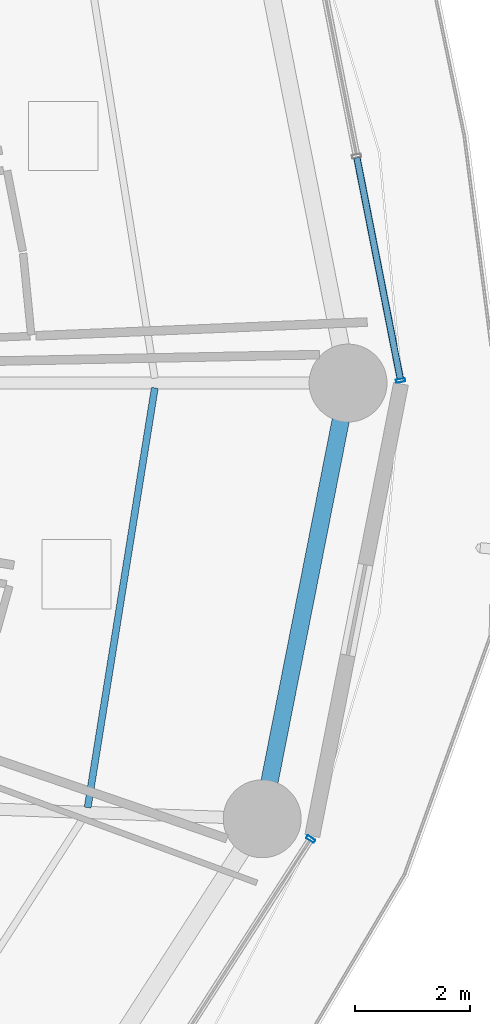
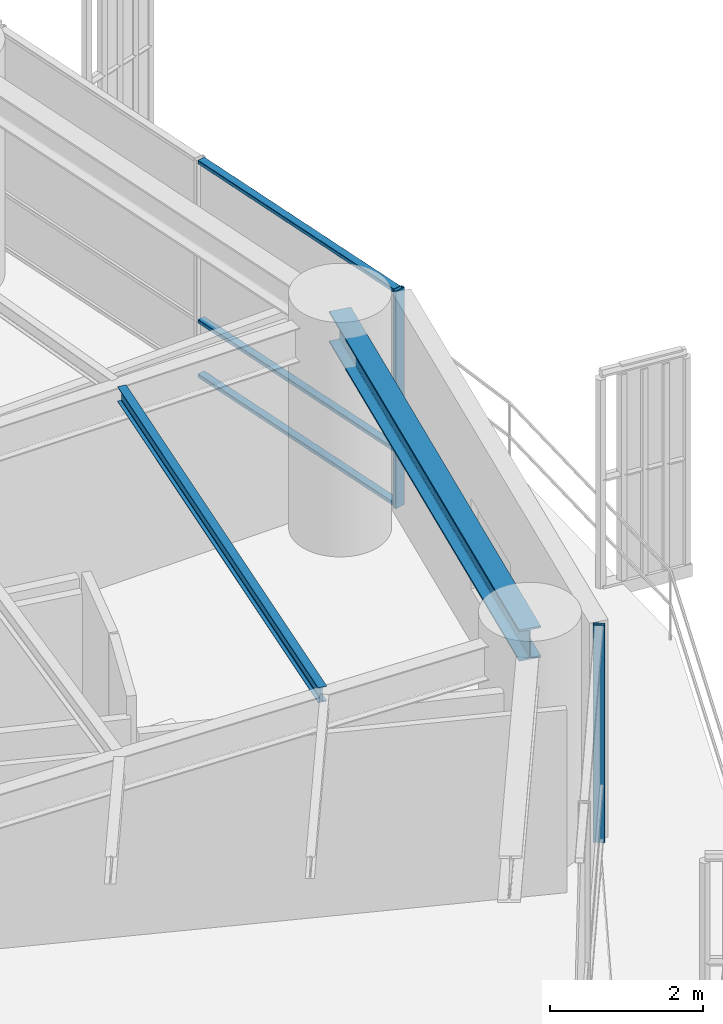
# One storey, part 15 of 35: 5 members, 2 beams, 2 elements without a shape of their own.
"""IFC4 building model written with IfcOpenShell, lengths in metres."""

from ifc_helpers import new_model, si_unit, direction, frame, origin, origin_2d, place, context, subcontext, project, spatial, hollow_rectangle, i_section, extrude, material, layer, layer_set, material_profile, profile_set, type_object, element, aggregate, save


model = new_model("IFC4")

# Units and contexts
model_context = context("Model", 3, precision=1e-05, world=origin(), true_north=direction((0.0, 1.0)))
body_context = subcontext(model_context, "Body", "Model", "MODEL_VIEW")
ifc_project = project(units=[si_unit("LENGTHUNIT", "METRE"), si_unit("AREAUNIT", "SQUARE_METRE"), si_unit("VOLUMEUNIT", "CUBIC_METRE"), si_unit("PLANEANGLEUNIT", "RADIAN"), si_unit("MASSUNIT", "GRAM", prefix="KILO")], contexts=[model_context])

# Site, building, storey
site_placement = place(None, origin())
site = spatial("IfcSite", under=ifc_project, at=site_placement, CompositionType="ELEMENT")
building_placement = place(site_placement, origin())
building = spatial("IfcBuilding", under=site, at=building_placement, Name="Kelanora Arch Commons", CompositionType="ELEMENT")
storey_placement = place(building_placement, frame((0.0, 0.0, 91.35009765625)))
storey = spatial("IfcBuildingStorey", under=building, at=storey_placement, Name="L23", CompositionType="ELEMENT", Elevation=91.35009765625)

# Beams
ifc_material_1 = material(Name="Steel S355", Category="steel")
ifc_material_profile_1 = material_profile(ifc_material_1, i_section(OverallWidth=0.1201171875, OverallDepth=0.239990234375, WebThickness=0.006103515625, FlangeThickness=0.009765625, FilletRadius=0.014892578125, at=origin_2d()), Name="IPE240")
ifc_profile_set_1 = profile_set([ifc_material_profile_1], Name="Steel S355")
beam_type_1 = type_object("IfcBeamType", Name="BM-JST-02", PredefinedType="JOIST", material=ifc_profile_set_1)
beam_1_placement = place(storey_placement, frame((94.166748046875, 50.642578125, 3.369873046875), z_axis=(0.157999549894, 0.987439184068, 0.0), x_axis=(-0.987439184068, 0.157999549894, 0.0)))
element("IfcBeam", 1, at=beam_1_placement, inside=storey, type_object=beam_type_1, Name="Secondary Chord Joist BJC-34 L23", PredefinedType="JOIST", context=body_context, shape_type="SweptSolid", body=[
    extrude(i_section(OverallWidth=0.1201171875, OverallDepth=0.239990234375, WebThickness=0.006103515625, FlangeThickness=0.009765625, FilletRadius=0.014892578125, at=origin_2d()), origin(), (0.0, 0.0, 1.0), 7.365966796875),
])
ifc_material_profile_2 = material_profile(ifc_material_1, i_section(OverallWidth=0.300048828125, OverallDepth=0.5, WebThickness=0.014404296875, FlangeThickness=0.028076171875, FilletRadius=0.027099609375, at=origin_2d()), Name="HEB500")
ifc_profile_set_2 = profile_set([ifc_material_profile_2], Name="Steel S355")
beam_type_2 = type_object("IfcBeamType", Name="BM-SPN-Z2", PredefinedType="SPANDREL", material=ifc_profile_set_2)
beam_2_placement = place(storey_placement, frame((97.191650390625, 50.4482421875, 3.239990234375), z_axis=(0.19335825777, 0.981128220037, 0.0), x_axis=(-0.981128220037, 0.19335825777, 0.0)))
element("IfcBeam", 2, at=beam_2_placement, inside=storey, type_object=beam_type_2, Name="Perimeter Spandrel Beam BS-34 L23", PredefinedType="SPANDREL", context=body_context, shape_type="SweptSolid", body=[
    extrude(i_section(OverallWidth=0.300048828125, OverallDepth=0.5, WebThickness=0.014404296875, FlangeThickness=0.028076171875, FilletRadius=0.027099609375, at=origin_2d()), origin(), (0.0, 0.0, 1.0), 7.697021484375),
])

# Curtain wall, member
ifc_material_2 = material(Name="Terracotta ceramic-fritted low-E glass and aluminium", Category="masonry")
ifc_layer = layer(ifc_material_2, 0.159912109375)
ifc_layer_set = layer_set([ifc_layer], Name="Terracotta ceramic-fritted low-E glass and aluminium")
curtain_wall_type = type_object("IfcCurtainWallType", Name="CW-SYS-01", PredefinedType="NOTDEFINED", material=ifc_layer_set)
curtain_wall_1_placement = place(storey_placement, origin())
curtain_wall_1 = element("IfcCurtainWall", 3, at=curtain_wall_1_placement, inside=storey, type_object=curtain_wall_type, Name="Unitised Curtain Wall L23-B00", PredefinedType="NOTDEFINED")
ifc_material_3 = material(Name="Powder-coated aluminium terracotta", Category="masonry")
ifc_material_profile_3 = material_profile(ifc_material_3, hollow_rectangle(XDim=0.159912109375, YDim=0.06005859375, WallThickness=0.0048828125, InnerFilletRadius=0.0048828125, OuterFilletRadius=0.010009765625, at=origin_2d()), Name="CWM160x60")
ifc_profile_set_3 = profile_set([ifc_material_profile_3], Name="Powder-coated aluminium terracotta")
member_type_1 = type_object("IfcMemberType", Name="CWM-STD", PredefinedType="MULLION", material=ifc_profile_set_3)
member_1_placement = place(storey_placement, frame((99.59130859375, 58.044189453125, 0.0), z_axis=(0.0, 0.0, 1.0), x_axis=(-0.981280311646, -0.192584916272, 0.0)))
member_1 = element("IfcMember", 4, at=member_1_placement, type_object=member_type_1, Name="CW-01 mullion 1", PredefinedType="MULLION", context=body_context, shape_type="SweptSolid", body=[
    extrude(hollow_rectangle(XDim=0.159912109375, YDim=0.06005859375, WallThickness=0.0048828125, InnerFilletRadius=0.0048828125, OuterFilletRadius=0.010009765625, at=origin_2d()), origin(), (0.0, 0.0, 1.0), 3.474853515625),
])

curtain_wall_2_placement = place(storey_placement, origin())
curtain_wall_2 = element("IfcCurtainWall", 5, at=curtain_wall_2_placement, inside=storey, type_object=curtain_wall_type, Name="Unitised Curtain Wall L23-B16", PredefinedType="NOTDEFINED")
member_2_placement = place(storey_placement, frame((98.03173828125, 50.095703125, 0.0), z_axis=(0.0, 0.0, 1.0), x_axis=(-0.841268883088, 0.540616931244, 0.0)))
member_2 = element("IfcMember", 6, at=member_2_placement, type_object=member_type_1, Name="CW-01 mullion 3", PredefinedType="MULLION", context=body_context, shape_type="SweptSolid", body=[
    extrude(hollow_rectangle(XDim=0.159912109375, YDim=0.06005859375, WallThickness=0.0048828125, InnerFilletRadius=0.0048828125, OuterFilletRadius=0.010009765625, at=origin_2d()), origin(), (0.0, 0.0, 1.0), 3.474853515625),
])
aggregate(curtain_wall_2, [member_2])

# Member
ifc_material_profile_4 = material_profile(ifc_material_3, hollow_rectangle(XDim=0.1201171875, YDim=0.06005859375, WallThickness=0.0048828125, InnerFilletRadius=0.0048828125, OuterFilletRadius=0.010009765625, at=origin_2d()), Name="CWT120x60")
ifc_profile_set_4 = profile_set([ifc_material_profile_4], Name="Powder-coated aluminium terracotta")
member_type_2 = type_object("IfcMemberType", Name="CWT-STD", PredefinedType="USERDEFINED", material=ifc_profile_set_4)
member_3_placement = place(storey_placement, frame((99.58544921875, 58.073486328125, 0.02978515625), z_axis=(-0.192578614785, 0.981281548348, 0.0), x_axis=(-0.981281548348, -0.192578614785, 0.0)))
member_3 = element("IfcMember", 7, at=member_3_placement, type_object=member_type_2, Name="CW-01 transom 1.1", ObjectType="TRANSOM", PredefinedType="USERDEFINED", context=body_context, shape_type="SweptSolid", body=[
    extrude(hollow_rectangle(XDim=0.1201171875, YDim=0.06005859375, WallThickness=0.0048828125, InnerFilletRadius=0.0048828125, OuterFilletRadius=0.010009765625, at=origin_2d()), origin(), (0.0, 0.0, 1.0), 3.9033203125),
])

member_4_placement = place(storey_placement, frame((99.58544921875, 58.073486328125, 0.89990234375), z_axis=(-0.192578614785, 0.981281548348, 0.0), x_axis=(-0.981281548348, -0.192578614785, 0.0)))
member_4 = element("IfcMember", 8, at=member_4_placement, type_object=member_type_2, Name="CW-01 transom 1.2", ObjectType="TRANSOM", PredefinedType="USERDEFINED", context=body_context, shape_type="SweptSolid", body=[
    extrude(hollow_rectangle(XDim=0.1201171875, YDim=0.06005859375, WallThickness=0.0048828125, InnerFilletRadius=0.0048828125, OuterFilletRadius=0.010009765625, at=origin_2d()), origin(), (0.0, 0.0, 1.0), 3.9033203125),
])

member_5_placement = place(storey_placement, frame((99.58544921875, 58.073486328125, 3.44482421875), z_axis=(-0.192578614785, 0.981281548348, 0.0), x_axis=(-0.981281548348, -0.192578614785, 0.0)))
member_5 = element("IfcMember", 9, at=member_5_placement, type_object=member_type_2, Name="CW-01 transom 1.3", ObjectType="TRANSOM", PredefinedType="USERDEFINED", context=body_context, shape_type="SweptSolid", body=[
    extrude(hollow_rectangle(XDim=0.1201171875, YDim=0.06005859375, WallThickness=0.0048828125, InnerFilletRadius=0.0048828125, OuterFilletRadius=0.010009765625, at=origin_2d()), origin(), (0.0, 0.0, 1.0), 3.9033203125),
])

aggregate(curtain_wall_1, [member_1, member_3, member_4, member_5])

save(model, "model.ifc")
